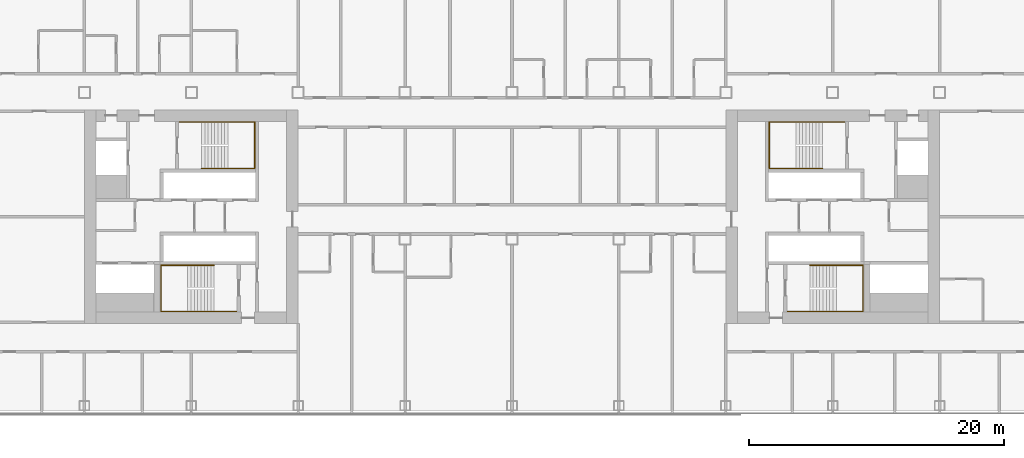
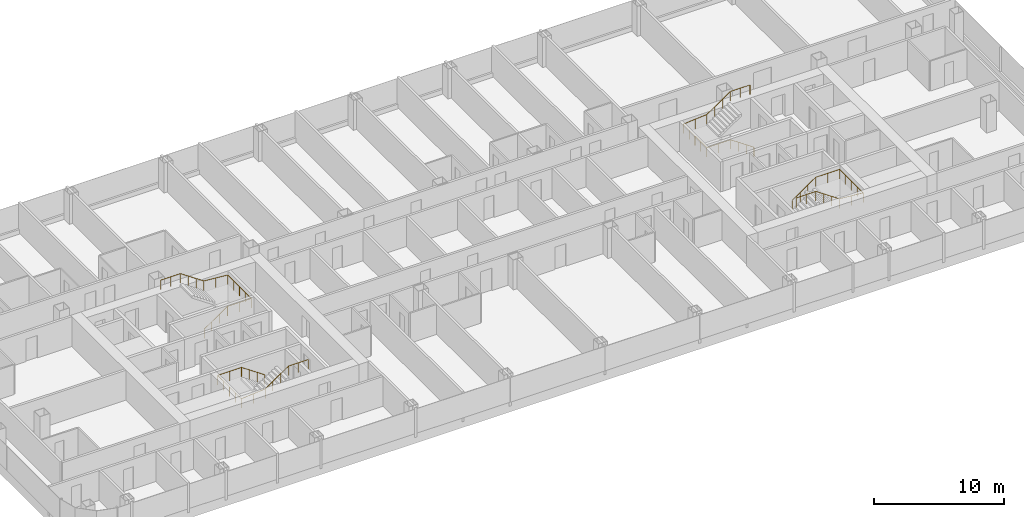
# One storey, part 29 of 29: 4 railings.
"""IFC4 building model written with IfcOpenShell, lengths in metres."""

from ifc_helpers import new_model, si_unit, direction, frame, origin, origin_2d, place, context, subcontext, project, spatial, circle, extrude, material, type_object, element, save


model = new_model("IFC4")

# Units and contexts
model_context = context("Model", 3, precision=1e-05, world=origin(), true_north=direction((0.0, 1.0)))
body_context = subcontext(model_context, "Body", "Model", "MODEL_VIEW")
ifc_project = project(units=[si_unit("LENGTHUNIT", "METRE"), si_unit("AREAUNIT", "SQUARE_METRE"), si_unit("VOLUMEUNIT", "CUBIC_METRE"), si_unit("PLANEANGLEUNIT", "RADIAN"), si_unit("MASSUNIT", "GRAM", prefix="KILO")], contexts=[model_context])

# Site, building, storey
site_placement = place(None, origin())
site = spatial("IfcSite", under=ifc_project, at=site_placement, CompositionType="ELEMENT")
building_placement = place(site_placement, origin())
building = spatial("IfcBuilding", under=site, at=building_placement, Name="Hakoniwa Tower and Hamabe Station Hall", CompositionType="ELEMENT")
storey_placement = place(building_placement, frame((0.0, 0.0, 78.60009765625)))
storey = spatial("IfcBuildingStorey", under=building, at=storey_placement, Name="L21", CompositionType="ELEMENT", Elevation=78.60009765625)

# Railings
ifc_material = material(Name="Stainless steel SUS304", Category="steel")
railing_type = type_object("IfcRailingType", Name="STAIR HANDRAIL 900", PredefinedType="HANDRAIL", material=ifc_material)
railing_1_placement = place(storey_placement, frame((-24.39990234375, 3.81005859375, 0.177734375)))
element("IfcRailing", 1, at=railing_1_placement, inside=storey, type_object=railing_type, Name="Handrail ST-1 L21 1", PredefinedType="HANDRAIL", context=body_context, shape_type="SweptSolid", body=[
    extrude(circle(Radius=0.02392578125, at=origin_2d()), frame((0.0, 0.0, 0.8759765625), z_axis=(0.825478349766, 0.0, 0.564433781827), x_axis=(0.0, 1.0, 0.0)), (0.0, 0.0, 1.0), 2.51953125),
    extrude(circle(Radius=0.02392578125, at=origin_2d()), frame((2.079833984375, 0.0, 2.2978515625), z_axis=(1.0, 0.0, 0.0), x_axis=(0.0, 1.0, 0.0)), (0.0, 0.0, 1.0), 2.110107421875),
    extrude(circle(Radius=0.02392578125, at=origin_2d()), frame((4.18994140625, 0.0, 2.2978515625), z_axis=(0.0, 1.0, 0.0), x_axis=(-1.0, 0.0, 0.0)), (0.0, 0.0, 1.0), 3.6298828125),
    extrude(circle(Radius=0.02392578125, at=origin_2d()), frame((4.18994140625, 3.6298828125, 2.2978515625), z_axis=(-0.996471417081, 0.0, 0.083932800143), x_axis=(0.0, -1.0, 0.0)), (0.0, 0.0, 1.0), 2.11767578125),
    extrude(circle(Radius=0.02392578125, at=origin_2d()), frame((2.079833984375, 3.6298828125, 2.4755859375), z_axis=(-0.825433201882, 0.0, 0.564499804456), x_axis=(0.0, -1.0, 0.0)), (0.0, 0.0, 1.0), 2.519775390625),
    extrude(circle(Radius=0.02392578125, at=origin_2d()), frame((0.0, 3.6298828125, 3.89794921875), z_axis=(-1.0, 0.0, 0.0), x_axis=(0.0, -1.0, 0.0)), (0.0, 0.0, 1.0), 1.739990234375),
    extrude(circle(Radius=0.02099609375, at=origin_2d()), origin(), (0.0, 0.0, 1.0), 0.851806640625),
    extrude(circle(Radius=0.02099609375, at=origin_2d()), frame((0.693359375, 0.0, 0.47412109375)), (0.0, 0.0, 1.0), 0.851806640625),
    extrude(circle(Radius=0.02099609375, at=origin_2d()), frame((1.386474609375, 0.0, 0.947998046875)), (0.0, 0.0, 1.0), 0.851806640625),
    extrude(circle(Radius=0.02099609375, at=origin_2d()), frame((2.079833984375, 0.0, 1.422119140625)), (0.0, 0.0, 1.0), 0.851806640625),
    extrude(circle(Radius=0.02099609375, at=origin_2d()), frame((3.134765625, 0.0, 1.422119140625)), (0.0, 0.0, 1.0), 0.851806640625),
    extrude(circle(Radius=0.02099609375, at=origin_2d()), frame((4.18994140625, 0.0, 1.422119140625)), (0.0, 0.0, 1.0), 0.851806640625),
    extrude(circle(Radius=0.02099609375, at=origin_2d()), frame((4.18994140625, 0.907470703125, 1.422119140625)), (0.0, 0.0, 1.0), 0.851806640625),
    extrude(circle(Radius=0.02099609375, at=origin_2d()), frame((4.18994140625, 1.81494140625, 1.422119140625)), (0.0, 0.0, 1.0), 0.851806640625),
    extrude(circle(Radius=0.02099609375, at=origin_2d()), frame((4.18994140625, 2.722412109375, 1.422119140625)), (0.0, 0.0, 1.0), 0.851806640625),
    extrude(circle(Radius=0.02099609375, at=origin_2d()), frame((4.18994140625, 3.6298828125, 1.422119140625)), (0.0, 0.0, 1.0), 0.851806640625),
    extrude(circle(Radius=0.02099609375, at=origin_2d()), frame((3.134765625, 3.6298828125, 1.510986328125)), (0.0, 0.0, 1.0), 0.851806640625),
    extrude(circle(Radius=0.02099609375, at=origin_2d()), frame((2.079833984375, 3.6298828125, 1.599853515625)), (0.0, 0.0, 1.0), 0.851806640625),
    extrude(circle(Radius=0.02099609375, at=origin_2d()), frame((1.386474609375, 3.6298828125, 2.073974609375)), (0.0, 0.0, 1.0), 0.851806640625),
    extrude(circle(Radius=0.02099609375, at=origin_2d()), frame((0.693359375, 3.6298828125, 2.548095703125)), (0.0, 0.0, 1.0), 0.851806640625),
    extrude(circle(Radius=0.02099609375, at=origin_2d()), frame((0.0, 3.6298828125, 3.022216796875)), (0.0, 0.0, 1.0), 0.851806640625),
    extrude(circle(Radius=0.02099609375, at=origin_2d()), frame((-0.8701171875, 3.6298828125, 3.022216796875)), (0.0, 0.0, 1.0), 0.851806640625),
    extrude(circle(Radius=0.02099609375, at=origin_2d()), frame((-1.739990234375, 3.6298828125, 3.022216796875)), (0.0, 0.0, 1.0), 0.851806640625),
])
railing_2_placement = place(storey_placement, frame((-23.39990234375, -3.81005859375, 0.177734375)))
element("IfcRailing", 2, at=railing_2_placement, inside=storey, type_object=railing_type, Name="Handrail ST-2 L21 1", PredefinedType="HANDRAIL", context=body_context, shape_type="SweptSolid", body=[
    extrude(circle(Radius=0.02392578125, at=origin_2d()), frame((0.0, 0.0, 0.8759765625), z_axis=(-0.82550921652, 0.0, 0.564388636881), x_axis=(0.0, -1.0, 0.0)), (0.0, 0.0, 1.0), 2.519775390625),
    extrude(circle(Radius=0.02392578125, at=origin_2d()), frame((-2.080078125, 0.0, 2.2978515625), z_axis=(-1.0, 0.0, 0.0), x_axis=(0.0, -1.0, 0.0)), (0.0, 0.0, 1.0), 2.110107421875),
    extrude(circle(Radius=0.02392578125, at=origin_2d()), frame((-4.190185546875, 0.0, 2.2978515625), z_axis=(0.0, -1.0, 0.0), x_axis=(1.0, 0.0, 0.0)), (0.0, 0.0, 1.0), 3.6298828125),
    extrude(circle(Radius=0.02392578125, at=origin_2d()), frame((-4.190185546875, -3.6298828125, 2.2978515625), z_axis=(0.996471417081, 0.0, 0.083932800143), x_axis=(0.0, 1.0, 0.0)), (0.0, 0.0, 1.0), 2.11767578125),
    extrude(circle(Radius=0.02392578125, at=origin_2d()), frame((-2.080078125, -3.6298828125, 2.4755859375), z_axis=(0.825464074169, 0.0, 0.564454659168), x_axis=(0.0, 1.0, 0.0)), (0.0, 0.0, 1.0), 2.519775390625),
    extrude(circle(Radius=0.02392578125, at=origin_2d()), frame((0.0, -3.6298828125, 3.89794921875), z_axis=(1.0, 0.0, 0.0), x_axis=(0.0, 1.0, 0.0)), (0.0, 0.0, 1.0), 1.739990234375),
    extrude(circle(Radius=0.02099609375, at=origin_2d()), origin(), (0.0, 0.0, 1.0), 0.851806640625),
    extrude(circle(Radius=0.02099609375, at=origin_2d()), frame((-0.693359375, 0.0, 0.47412109375)), (0.0, 0.0, 1.0), 0.851806640625),
    extrude(circle(Radius=0.02099609375, at=origin_2d()), frame((-1.38671875, 0.0, 0.947998046875)), (0.0, 0.0, 1.0), 0.851806640625),
    extrude(circle(Radius=0.02099609375, at=origin_2d()), frame((-2.080078125, 0.0, 1.422119140625)), (0.0, 0.0, 1.0), 0.851806640625),
    extrude(circle(Radius=0.02099609375, at=origin_2d()), frame((-3.13525390625, 0.0, 1.422119140625)), (0.0, 0.0, 1.0), 0.851806640625),
    extrude(circle(Radius=0.02099609375, at=origin_2d()), frame((-4.190185546875, 0.0, 1.422119140625)), (0.0, 0.0, 1.0), 0.851806640625),
    extrude(circle(Radius=0.02099609375, at=origin_2d()), frame((-4.190185546875, -0.907470703125, 1.422119140625)), (0.0, 0.0, 1.0), 0.851806640625),
    extrude(circle(Radius=0.02099609375, at=origin_2d()), frame((-4.190185546875, -1.81494140625, 1.422119140625)), (0.0, 0.0, 1.0), 0.851806640625),
    extrude(circle(Radius=0.02099609375, at=origin_2d()), frame((-4.190185546875, -2.722412109375, 1.422119140625)), (0.0, 0.0, 1.0), 0.851806640625),
    extrude(circle(Radius=0.02099609375, at=origin_2d()), frame((-4.190185546875, -3.6298828125, 1.422119140625)), (0.0, 0.0, 1.0), 0.851806640625),
    extrude(circle(Radius=0.02099609375, at=origin_2d()), frame((-3.13525390625, -3.6298828125, 1.510986328125)), (0.0, 0.0, 1.0), 0.851806640625),
    extrude(circle(Radius=0.02099609375, at=origin_2d()), frame((-2.080078125, -3.6298828125, 1.599853515625)), (0.0, 0.0, 1.0), 0.851806640625),
    extrude(circle(Radius=0.02099609375, at=origin_2d()), frame((-1.38671875, -3.6298828125, 2.073974609375)), (0.0, 0.0, 1.0), 0.851806640625),
    extrude(circle(Radius=0.02099609375, at=origin_2d()), frame((-0.693359375, -3.6298828125, 2.548095703125)), (0.0, 0.0, 1.0), 0.851806640625),
    extrude(circle(Radius=0.02099609375, at=origin_2d()), frame((0.0, -3.6298828125, 3.022216796875)), (0.0, 0.0, 1.0), 0.851806640625),
    extrude(circle(Radius=0.02099609375, at=origin_2d()), frame((0.8701171875, -3.6298828125, 3.022216796875)), (0.0, 0.0, 1.0), 0.851806640625),
    extrude(circle(Radius=0.02099609375, at=origin_2d()), frame((1.739990234375, -3.6298828125, 3.022216796875)), (0.0, 0.0, 1.0), 0.851806640625),
])
railing_3_placement = place(storey_placement, frame((24.39990234375, 3.81005859375, 0.177734375)))
element("IfcRailing", 3, at=railing_3_placement, inside=storey, type_object=railing_type, Name="Handrail ST-3 L21 1", PredefinedType="HANDRAIL", context=body_context, shape_type="SweptSolid", body=[
    extrude(circle(Radius=0.02392578125, at=origin_2d()), frame((0.0, 0.0, 0.8759765625), z_axis=(-0.825478349766, 0.0, 0.564433781827), x_axis=(0.0, -1.0, 0.0)), (0.0, 0.0, 1.0), 2.51953125),
    extrude(circle(Radius=0.02392578125, at=origin_2d()), frame((-2.079833984375, 0.0, 2.2978515625), z_axis=(-1.0, 0.0, 0.0), x_axis=(0.0, -1.0, 0.0)), (0.0, 0.0, 1.0), 2.110107421875),
    extrude(circle(Radius=0.02392578125, at=origin_2d()), frame((-4.18994140625, 0.0, 2.2978515625), z_axis=(0.0, 1.0, 0.0), x_axis=(-1.0, 0.0, 0.0)), (0.0, 0.0, 1.0), 3.6298828125),
    extrude(circle(Radius=0.02392578125, at=origin_2d()), frame((-4.18994140625, 3.6298828125, 2.2978515625), z_axis=(0.996471417081, 0.0, 0.083932800143), x_axis=(0.0, 1.0, 0.0)), (0.0, 0.0, 1.0), 2.11767578125),
    extrude(circle(Radius=0.02392578125, at=origin_2d()), frame((-2.079833984375, 3.6298828125, 2.4755859375), z_axis=(0.825433201882, 0.0, 0.564499804456), x_axis=(0.0, 1.0, 0.0)), (0.0, 0.0, 1.0), 2.519775390625),
    extrude(circle(Radius=0.02392578125, at=origin_2d()), frame((0.0, 3.6298828125, 3.89794921875), z_axis=(1.0, 0.0, 0.0), x_axis=(0.0, 1.0, 0.0)), (0.0, 0.0, 1.0), 1.739990234375),
    extrude(circle(Radius=0.02099609375, at=origin_2d()), origin(), (0.0, 0.0, 1.0), 0.851806640625),
    extrude(circle(Radius=0.02099609375, at=origin_2d()), frame((-0.693359375, 0.0, 0.47412109375)), (0.0, 0.0, 1.0), 0.851806640625),
    extrude(circle(Radius=0.02099609375, at=origin_2d()), frame((-1.386474609375, 0.0, 0.947998046875)), (0.0, 0.0, 1.0), 0.851806640625),
    extrude(circle(Radius=0.02099609375, at=origin_2d()), frame((-2.079833984375, 0.0, 1.422119140625)), (0.0, 0.0, 1.0), 0.851806640625),
    extrude(circle(Radius=0.02099609375, at=origin_2d()), frame((-3.134765625, 0.0, 1.422119140625)), (0.0, 0.0, 1.0), 0.851806640625),
    extrude(circle(Radius=0.02099609375, at=origin_2d()), frame((-4.18994140625, 0.0, 1.422119140625)), (0.0, 0.0, 1.0), 0.851806640625),
    extrude(circle(Radius=0.02099609375, at=origin_2d()), frame((-4.18994140625, 0.907470703125, 1.422119140625)), (0.0, 0.0, 1.0), 0.851806640625),
    extrude(circle(Radius=0.02099609375, at=origin_2d()), frame((-4.18994140625, 1.81494140625, 1.422119140625)), (0.0, 0.0, 1.0), 0.851806640625),
    extrude(circle(Radius=0.02099609375, at=origin_2d()), frame((-4.18994140625, 2.722412109375, 1.422119140625)), (0.0, 0.0, 1.0), 0.851806640625),
    extrude(circle(Radius=0.02099609375, at=origin_2d()), frame((-4.18994140625, 3.6298828125, 1.422119140625)), (0.0, 0.0, 1.0), 0.851806640625),
    extrude(circle(Radius=0.02099609375, at=origin_2d()), frame((-3.134765625, 3.6298828125, 1.510986328125)), (0.0, 0.0, 1.0), 0.851806640625),
    extrude(circle(Radius=0.02099609375, at=origin_2d()), frame((-2.079833984375, 3.6298828125, 1.599853515625)), (0.0, 0.0, 1.0), 0.851806640625),
    extrude(circle(Radius=0.02099609375, at=origin_2d()), frame((-1.386474609375, 3.6298828125, 2.073974609375)), (0.0, 0.0, 1.0), 0.851806640625),
    extrude(circle(Radius=0.02099609375, at=origin_2d()), frame((-0.693359375, 3.6298828125, 2.548095703125)), (0.0, 0.0, 1.0), 0.851806640625),
    extrude(circle(Radius=0.02099609375, at=origin_2d()), frame((0.0, 3.6298828125, 3.022216796875)), (0.0, 0.0, 1.0), 0.851806640625),
    extrude(circle(Radius=0.02099609375, at=origin_2d()), frame((0.8701171875, 3.6298828125, 3.022216796875)), (0.0, 0.0, 1.0), 0.851806640625),
    extrude(circle(Radius=0.02099609375, at=origin_2d()), frame((1.739990234375, 3.6298828125, 3.022216796875)), (0.0, 0.0, 1.0), 0.851806640625),
])
railing_4_placement = place(storey_placement, frame((23.39990234375, -3.81005859375, 0.177734375)))
element("IfcRailing", 4, at=railing_4_placement, inside=storey, type_object=railing_type, Name="Handrail ST-4 L21 1", PredefinedType="HANDRAIL", context=body_context, shape_type="SweptSolid", body=[
    extrude(circle(Radius=0.02392578125, at=origin_2d()), frame((0.0, 0.0, 0.8759765625), z_axis=(0.82550921652, 0.0, 0.564388636881), x_axis=(0.0, 1.0, 0.0)), (0.0, 0.0, 1.0), 2.519775390625),
    extrude(circle(Radius=0.02392578125, at=origin_2d()), frame((2.080078125, 0.0, 2.2978515625), z_axis=(1.0, 0.0, 0.0), x_axis=(0.0, 1.0, 0.0)), (0.0, 0.0, 1.0), 2.110107421875),
    extrude(circle(Radius=0.02392578125, at=origin_2d()), frame((4.190185546875, 0.0, 2.2978515625), z_axis=(0.0, -1.0, 0.0), x_axis=(1.0, 0.0, 0.0)), (0.0, 0.0, 1.0), 3.6298828125),
    extrude(circle(Radius=0.02392578125, at=origin_2d()), frame((4.190185546875, -3.6298828125, 2.2978515625), z_axis=(-0.996471417081, 0.0, 0.083932800143), x_axis=(0.0, -1.0, 0.0)), (0.0, 0.0, 1.0), 2.11767578125),
    extrude(circle(Radius=0.02392578125, at=origin_2d()), frame((2.080078125, -3.6298828125, 2.4755859375), z_axis=(-0.825464074169, 0.0, 0.564454659168), x_axis=(0.0, -1.0, 0.0)), (0.0, 0.0, 1.0), 2.519775390625),
    extrude(circle(Radius=0.02392578125, at=origin_2d()), frame((0.0, -3.6298828125, 3.89794921875), z_axis=(-1.0, 0.0, 0.0), x_axis=(0.0, -1.0, 0.0)), (0.0, 0.0, 1.0), 1.739990234375),
    extrude(circle(Radius=0.02099609375, at=origin_2d()), origin(), (0.0, 0.0, 1.0), 0.851806640625),
    extrude(circle(Radius=0.02099609375, at=origin_2d()), frame((0.693359375, 0.0, 0.47412109375)), (0.0, 0.0, 1.0), 0.851806640625),
    extrude(circle(Radius=0.02099609375, at=origin_2d()), frame((1.38671875, 0.0, 0.947998046875)), (0.0, 0.0, 1.0), 0.851806640625),
    extrude(circle(Radius=0.02099609375, at=origin_2d()), frame((2.080078125, 0.0, 1.422119140625)), (0.0, 0.0, 1.0), 0.851806640625),
    extrude(circle(Radius=0.02099609375, at=origin_2d()), frame((3.13525390625, 0.0, 1.422119140625)), (0.0, 0.0, 1.0), 0.851806640625),
    extrude(circle(Radius=0.02099609375, at=origin_2d()), frame((4.190185546875, 0.0, 1.422119140625)), (0.0, 0.0, 1.0), 0.851806640625),
    extrude(circle(Radius=0.02099609375, at=origin_2d()), frame((4.190185546875, -0.907470703125, 1.422119140625)), (0.0, 0.0, 1.0), 0.851806640625),
    extrude(circle(Radius=0.02099609375, at=origin_2d()), frame((4.190185546875, -1.81494140625, 1.422119140625)), (0.0, 0.0, 1.0), 0.851806640625),
    extrude(circle(Radius=0.02099609375, at=origin_2d()), frame((4.190185546875, -2.722412109375, 1.422119140625)), (0.0, 0.0, 1.0), 0.851806640625),
    extrude(circle(Radius=0.02099609375, at=origin_2d()), frame((4.190185546875, -3.6298828125, 1.422119140625)), (0.0, 0.0, 1.0), 0.851806640625),
    extrude(circle(Radius=0.02099609375, at=origin_2d()), frame((3.13525390625, -3.6298828125, 1.510986328125)), (0.0, 0.0, 1.0), 0.851806640625),
    extrude(circle(Radius=0.02099609375, at=origin_2d()), frame((2.080078125, -3.6298828125, 1.599853515625)), (0.0, 0.0, 1.0), 0.851806640625),
    extrude(circle(Radius=0.02099609375, at=origin_2d()), frame((1.38671875, -3.6298828125, 2.073974609375)), (0.0, 0.0, 1.0), 0.851806640625),
    extrude(circle(Radius=0.02099609375, at=origin_2d()), frame((0.693359375, -3.6298828125, 2.548095703125)), (0.0, 0.0, 1.0), 0.851806640625),
    extrude(circle(Radius=0.02099609375, at=origin_2d()), frame((0.0, -3.6298828125, 3.022216796875)), (0.0, 0.0, 1.0), 0.851806640625),
    extrude(circle(Radius=0.02099609375, at=origin_2d()), frame((-0.8701171875, -3.6298828125, 3.022216796875)), (0.0, 0.0, 1.0), 0.851806640625),
    extrude(circle(Radius=0.02099609375, at=origin_2d()), frame((-1.739990234375, -3.6298828125, 3.022216796875)), (0.0, 0.0, 1.0), 0.851806640625),
])

save(model, "model.ifc")
